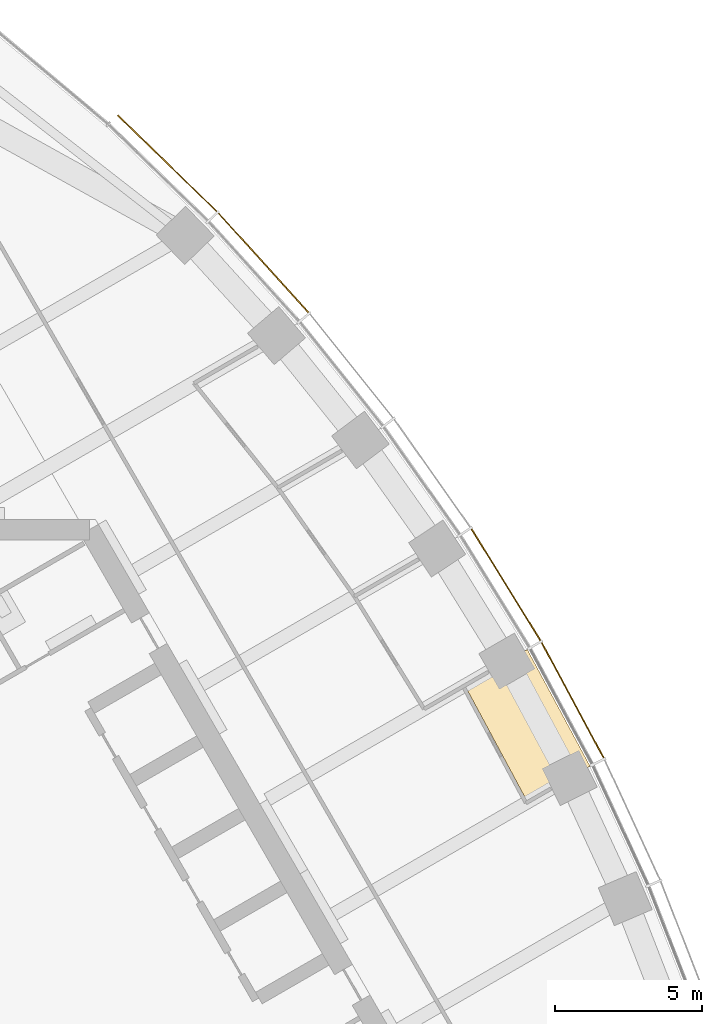
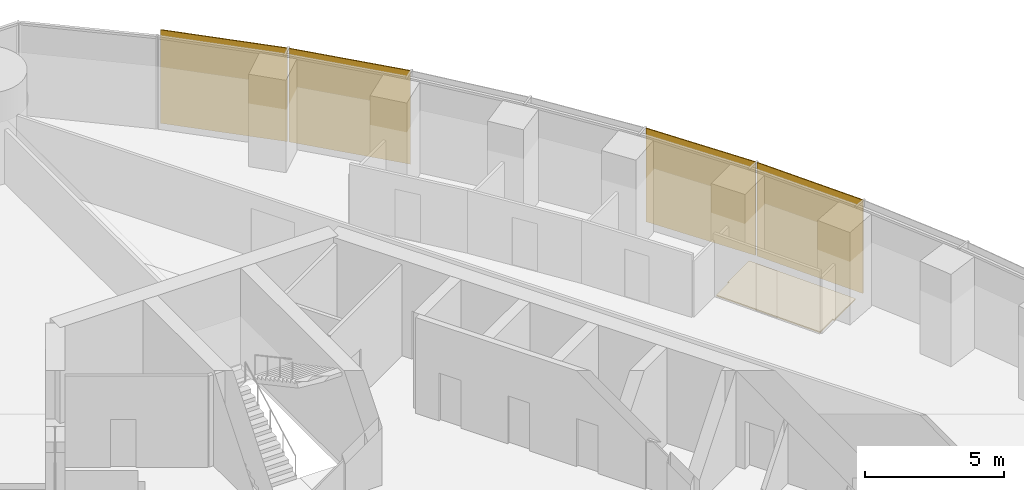
# One storey, part 13 of 15: 4 shading devices, 1 covering.
"""IFC4 building model written with IfcOpenShell, lengths in metres."""

from ifc_helpers import new_model, si_unit, direction, frame, origin, origin_2d, place, context, subcontext, project, spatial, polyline, rectangle, outline, extrude, material, layer, layer_set, type_object, element, save


model = new_model("IFC4")

# Units and contexts
model_context = context("Model", 3, precision=1e-05, world=origin(), true_north=direction((0.0, 1.0)))
body_context = subcontext(model_context, "Body", "Model", "MODEL_VIEW")
ifc_project = project(units=[si_unit("LENGTHUNIT", "METRE"), si_unit("AREAUNIT", "SQUARE_METRE"), si_unit("VOLUMEUNIT", "CUBIC_METRE"), si_unit("PLANEANGLEUNIT", "RADIAN"), si_unit("MASSUNIT", "GRAM", prefix="KILO")], contexts=[model_context])

# Site, building, storey
site_placement = place(None, origin())
site = spatial("IfcSite", under=ifc_project, at=site_placement, CompositionType="ELEMENT")
building_placement = place(site_placement, origin())
building = spatial("IfcBuilding", under=site, at=building_placement, Name="Trefoil Bronze Tower", CompositionType="ELEMENT")
storey_placement = place(building_placement, frame((0.0, 0.0, 276.300048828125)))
storey = spatial("IfcBuildingStorey", under=building, at=storey_placement, Name="L63", CompositionType="ELEMENT", Elevation=276.300048828125)

# Shading devices
ifc_material_1 = material(Name="Perforated bronze sheet", Category="bronze")
ifc_layer_1 = layer(ifc_material_1, 0.0400390625)
ifc_layer_set_1 = layer_set([ifc_layer_1], Name="Bronze solar screen panel")
shading_device_type = type_object("IfcShadingDeviceType", Name="Bronze solar screen panel", PredefinedType="SHUTTER", material=ifc_layer_set_1)
for number, where, z_axis, x_axis, name in (
    (1, (22.19775390625, 10.198974609375, 0.0498046875), (0.0, 0.0, 1.0), (-0.473562437085, 0.880760250115, 0.0), "Solar screen CW-A L63 F2 bay 5"),
    (2, (19.931396484375, 14.124267578125, 0.0498046875), (0.0, 0.0, 1.0), (-0.525979532701, 0.850497225851, 0.0), "Solar screen CW-A L63 F2 bay 6"),
):
    element("IfcShadingDevice", number, at=place(storey_placement, frame(where, z_axis=z_axis, x_axis=x_axis)), inside=storey, type_object=shading_device_type, Name=name, PredefinedType="SHUTTER", context=body_context, shape_type="SweptSolid", body=[
        extrude(rectangle(XDim=4.47216796875, YDim=0.0400390625, at=origin_2d()), origin(), (0.0, 0.0, 1.0), 4.10009765625),
    ])
shading_device_1_placement = place(storey_placement, frame((11.688720703125, 25.067138671875, 0.0498046875), z_axis=(0.0, 0.0, 1.0), x_axis=(-0.672115274615, 0.74044652584, 0.0)))
element("IfcShadingDevice", 3, at=shading_device_1_placement, inside=storey, type_object=shading_device_type, Name="Solar screen CW-A L63 F2 bay 9", PredefinedType="SHUTTER", context=body_context, shape_type="SweptSolid", body=[
    extrude(rectangle(XDim=4.574462890625, YDim=0.0400390625, at=origin_2d()), origin(), (0.0, 0.0, 1.0), 4.10009765625),
])
shading_device_2_placement = place(storey_placement, frame((8.42236328125, 28.443359375, 0.0498046875), z_axis=(0.0, 0.0, 1.0), x_axis=(-0.71721818561, 0.696848673839, 0.0)))
element("IfcShadingDevice", 4, at=shading_device_2_placement, inside=storey, type_object=shading_device_type, Name="Solar screen CW-A L63 F2 bay 10", PredefinedType="SHUTTER", context=body_context, shape_type="SweptSolid", body=[
    extrude(rectangle(XDim=4.697509765625, YDim=0.0400390625, at=origin_2d()), origin(), (0.0, 0.0, 1.0), 4.10009765625),
])

# Covering
ifc_material_2 = material(Name="Raised access floor panels", Category="steel")
ifc_layer_2 = layer(ifc_material_2, 0.050048828125)
ifc_layer_set_2 = layer_set([ifc_layer_2], Name="Raised access floor 150")
covering_type = type_object("IfcCoveringType", Name="Raised access floor 150", PredefinedType="FLOORING", material=ifc_layer_set_2)
covering_placement = place(storey_placement, frame((0.0, 0.0, 0.099853515625)))
element("IfcCovering", 5, at=covering_placement, inside=storey, type_object=covering_type, Name="Raised floor L63 Comms room F2", PredefinedType="FLOORING", context=body_context, shape_type="SweptSolid", body=[
    extrude(outline(polyline([(22.7880859375, 7.960693359375), (21.460693359375, 7.194091796875), (21.4306640625, 7.24609375), (20.63720703125, 6.787841796875), (18.56201171875, 10.6474609375), (19.361083984375, 11.10888671875), (19.3310546875, 11.160888671875), (20.656005859375, 11.92578125), (22.7880859375, 7.960693359375)])), origin(), (0.0, 0.0, 1.0), 0.050048828125),
])

save(model, "model.ifc")
